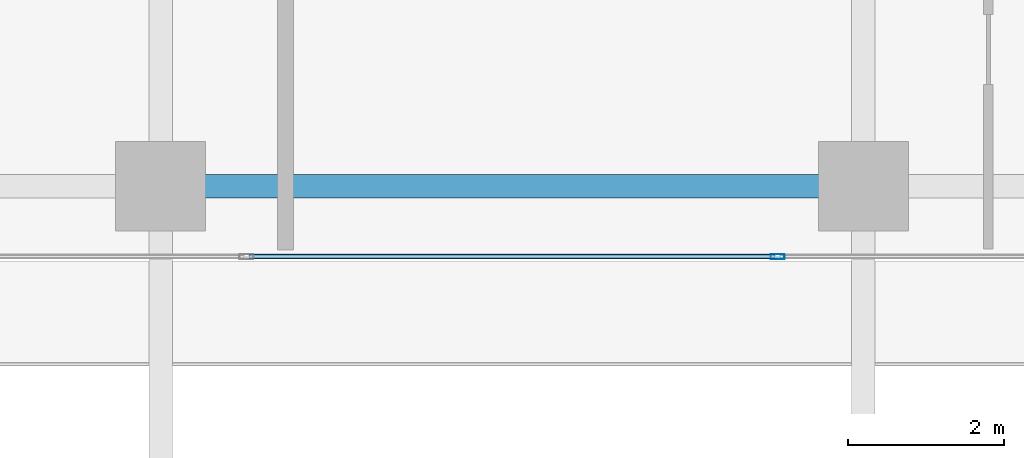
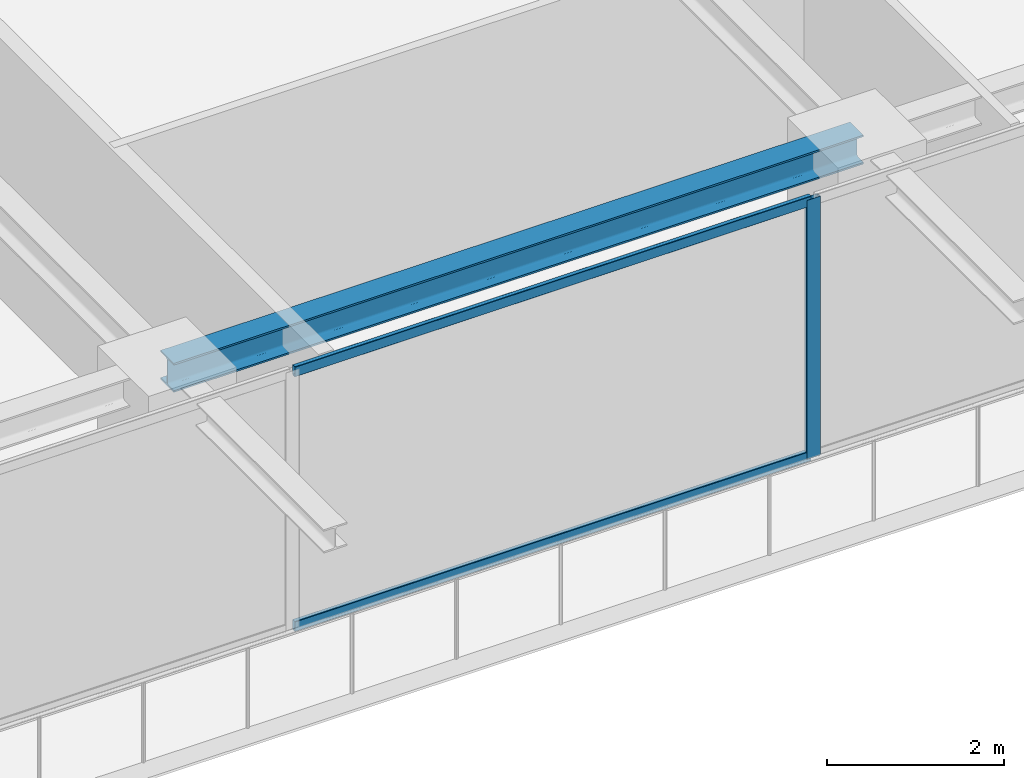
# One storey, part 6 of 38: 3 members, 1 beam, 1 element without a shape of its own.
"""IFC4 building model written with IfcOpenShell, lengths in metres."""

from ifc_helpers import new_model, si_unit, direction, frame, origin, origin_2d, place, context, subcontext, project, spatial, hollow_rectangle, i_section, extrude, source, transform, mapped, material, layer, layer_set, material_profile, profile_set, type_object, element, aggregate, save


model = new_model("IFC4")

# Units and contexts
model_context = context("Model", 3, precision=1e-05, world=origin(), true_north=direction((0.0, 1.0)))
body_context = subcontext(model_context, "Body", "Model", "MODEL_VIEW")
ifc_project = project(units=[si_unit("LENGTHUNIT", "METRE"), si_unit("AREAUNIT", "SQUARE_METRE"), si_unit("VOLUMEUNIT", "CUBIC_METRE"), si_unit("PLANEANGLEUNIT", "RADIAN"), si_unit("MASSUNIT", "GRAM", prefix="KILO")], contexts=[model_context])

# Site, building, storey
site_placement = place(None, origin())
site = spatial("IfcSite", under=ifc_project, at=site_placement, CompositionType="ELEMENT")
building_placement = place(site_placement, origin())
building = spatial("IfcBuilding", under=site, at=building_placement, Name="Serunith Strait Residences", CompositionType="ELEMENT")
storey_placement = place(building_placement, frame((0.0, 0.0, 237.39990234375)))
storey = spatial("IfcBuildingStorey", under=building, at=storey_placement, Name="L59", CompositionType="ELEMENT", Elevation=237.39990234375)

# Beam
ifc_material_1 = material(Name="Steel S355J2", Category="steel")
ifc_material_profile_1 = material_profile(ifc_material_1, i_section(OverallWidth=0.300048828125, OverallDepth=0.39990234375, WebThickness=0.013427734375, FlangeThickness=0.02392578125, FilletRadius=0.027099609375, at=origin_2d()), Name="HEB 400")
ifc_profile_set_1 = profile_set([ifc_material_profile_1], Name="Steel S355J2")
beam_type = type_object("IfcBeamType", Name="BM-HEB400", PredefinedType="BEAM", material=ifc_profile_set_1)
shared_shape_1 = source(origin(), body_context, "Body", "SweptSolid", [
    extrude(i_section(OverallWidth=0.300048828125, OverallDepth=0.39990234375, WebThickness=0.013427734375, FlangeThickness=0.02392578125, FilletRadius=0.027099609375, at=origin_2d()), origin(), (0.0, 0.0, 1.0), 9.0),
])
beam_placement = place(storey_placement, frame((27.89990234375, 2.10009765625, 3.38720703125), z_axis=(1.0, 0.0, 0.0), x_axis=(0.0, 1.0, 0.0)))
element("IfcBeam", 1, at=beam_placement, inside=storey, type_object=beam_type, Name="L59 Perimeter Ring Beam 02", PredefinedType="BEAM", context=body_context, shape_type="MappedRepresentation", body=[
    mapped(shared_shape_1, transform((0.0, 0.0, 0.0), scale=1.0)),
])

# Curtain wall, members
ifc_material_2 = material(Name="Pale-Champagne Anodised Aluminium", Category="aluminium")
ifc_layer = layer(ifc_material_2, 0.199951171875, Name="Pale-Champagne Anodised Aluminium")
ifc_layer_set = layer_set([ifc_layer], Name="Pale-Champagne Anodised Aluminium")
curtain_wall_type = type_object("IfcCurtainWallType", Name="CW-SYS4", PredefinedType="NOTDEFINED", material=ifc_layer_set)
curtain_wall_placement = place(storey_placement, origin())
curtain_wall = element("IfcCurtainWall", 2, at=curtain_wall_placement, inside=storey, type_object=curtain_wall_type, Name="L59 S Unitised Fritted Curtain Wall", PredefinedType="NOTDEFINED")
ifc_material_profile_2 = material_profile(ifc_material_2, hollow_rectangle(XDim=0.06005859375, YDim=0.139892578125, WallThickness=0.00341796875, InnerFilletRadius=0.00537109375, OuterFilletRadius=0.0087890625, at=origin_2d()), Name="ALU 140x60x3.5")
ifc_profile_set_2 = profile_set([ifc_material_profile_2], Name="Pale-Champagne Anodised Aluminium")
member_type_1 = type_object("IfcMemberType", Name="CW-SYS4-TRAN", PredefinedType="USERDEFINED", material=ifc_profile_set_2)
shared_shape_2 = source(origin(), body_context, "Body", "SweptSolid", [
    extrude(hollow_rectangle(XDim=0.06005859375, YDim=0.139892578125, WallThickness=0.00341796875, InnerFilletRadius=0.00537109375, OuterFilletRadius=0.0087890625, at=origin_2d()), origin(), (0.0, 0.0, 1.0), 6.735107421875),
])
member_1_placement = place(storey_placement, frame((29.032470703125, 1.199951171875, 0.030029296875), z_axis=(1.0, 0.0, 0.0), x_axis=(0.0, 1.0, 0.0)))
member_1 = element("IfcMember", 3, at=member_1_placement, type_object=member_type_1, Name="CW-4 transom 3.1", ObjectType="TRANSOM", PredefinedType="USERDEFINED", context=body_context, shape_type="MappedRepresentation", body=[
    mapped(shared_shape_2, transform((0.0, 0.0, 0.0), scale=1.0)),
])
member_2_placement = place(storey_placement, frame((29.032470703125, 1.199951171875, 3.545166015625), z_axis=(1.0, 0.0, 0.0), x_axis=(0.0, 1.0, 0.0)))
member_2 = element("IfcMember", 4, at=member_2_placement, type_object=member_type_1, Name="CW-4 transom 3.2", ObjectType="TRANSOM", PredefinedType="USERDEFINED", context=body_context, shape_type="MappedRepresentation", body=[
    mapped(shared_shape_2, transform((0.0, 0.0, 0.0), scale=1.0)),
])
ifc_material_profile_3 = material_profile(ifc_material_2, hollow_rectangle(XDim=0.06494140625, YDim=0.179931640625, WallThickness=0.00341796875, InnerFilletRadius=0.00537109375, OuterFilletRadius=0.0087890625, at=origin_2d()), Name="ALU 180x65x3.5")
ifc_profile_set_3 = profile_set([ifc_material_profile_3], Name="Pale-Champagne Anodised Aluminium")
member_type_2 = type_object("IfcMemberType", Name="CW-SYS4-MULL", PredefinedType="MULLION", material=ifc_profile_set_3)
shared_shape_3 = source(origin(), body_context, "Body", "SweptSolid", [
    extrude(hollow_rectangle(XDim=0.06494140625, YDim=0.179931640625, WallThickness=0.00341796875, InnerFilletRadius=0.00537109375, OuterFilletRadius=0.0087890625, at=origin_2d()), origin(), (0.0, 0.0, 1.0), 3.5751953125),
])
member_3_placement = place(storey_placement, frame((35.800048828125, 1.199951171875, 0.0), z_axis=(0.0, 0.0, 1.0), x_axis=(0.0, 1.0, 0.0)))
member_3 = element("IfcMember", 5, at=member_3_placement, type_object=member_type_2, Name="CW-4 mullion 4", PredefinedType="MULLION", context=body_context, shape_type="MappedRepresentation", body=[
    mapped(shared_shape_3, transform((0.0, 0.0, 0.0), scale=1.0)),
])
aggregate(curtain_wall, [member_3, member_1, member_2])

save(model, "model.ifc")
